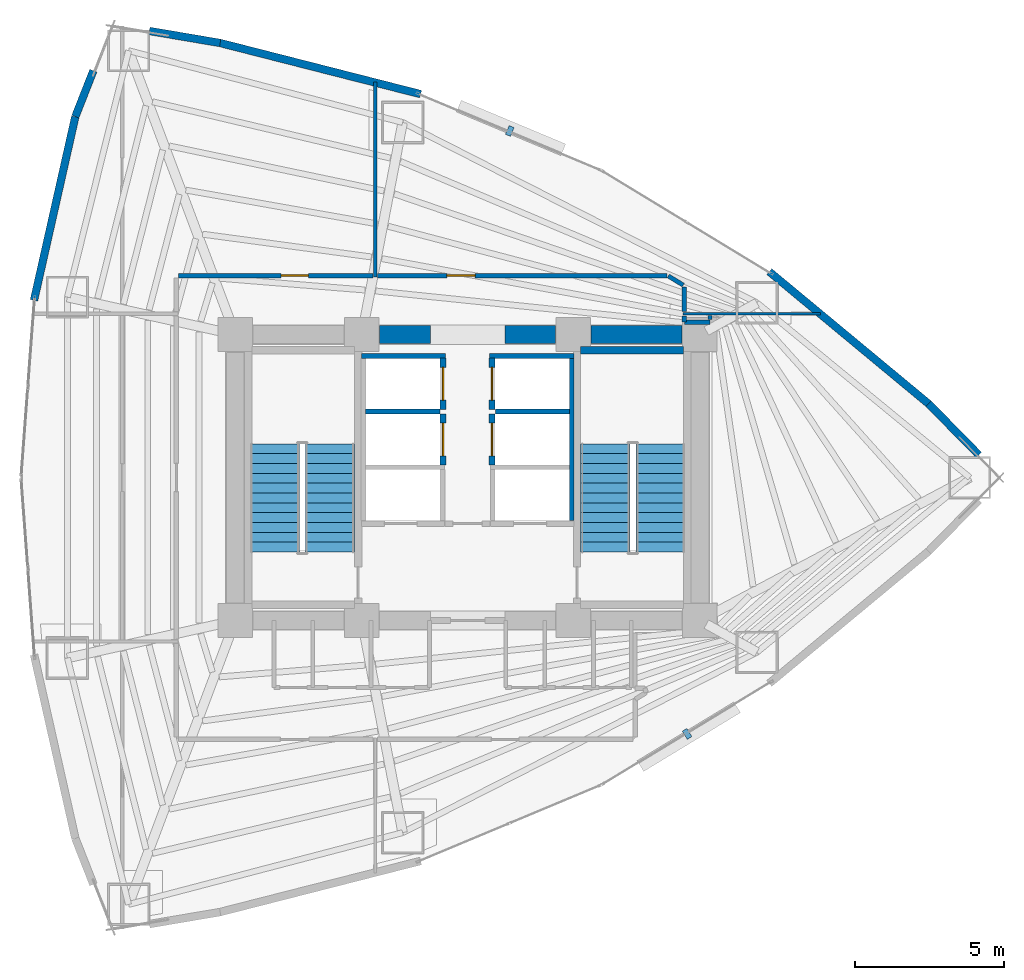
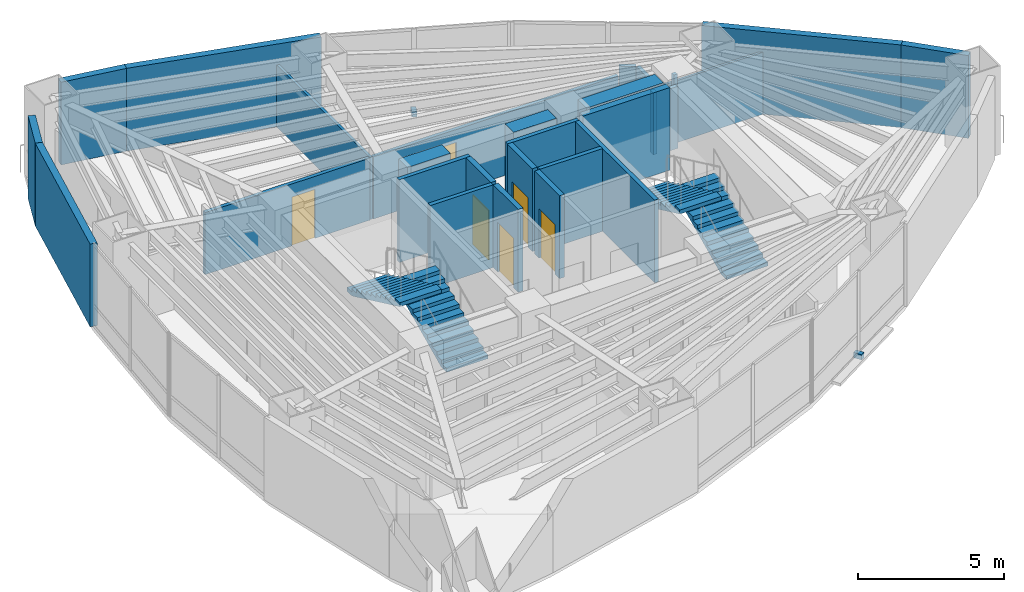
# One storey, part 15 of 17: 28 walls, 6 doors, 4 stair flights, 2 discrete accessories, 6 openings, 2 elements without a shape of their own.
"""IFC4 building model written with IfcOpenShell, lengths in metres."""

from ifc_helpers import new_model, si_unit, direction, frame, frame_2d, origin, origin_2d, place, context, subcontext, project, spatial, polyline, rectangle, outline, extrude, material, layer, layer_set, type_object, element, fill, aggregate, save


model = new_model("IFC4")

# Units and contexts
model_context = context("Model", 3, precision=1e-05, world=origin(), true_north=direction((0.0, 1.0)))
body_context = subcontext(model_context, "Body", "Model", "MODEL_VIEW")
ifc_project = project(units=[si_unit("LENGTHUNIT", "METRE"), si_unit("AREAUNIT", "SQUARE_METRE"), si_unit("VOLUMEUNIT", "CUBIC_METRE"), si_unit("PLANEANGLEUNIT", "RADIAN"), si_unit("MASSUNIT", "GRAM", prefix="KILO")], contexts=[model_context])

# Site, building, storey
site_placement = place(None, origin())
site = spatial("IfcSite", under=ifc_project, at=site_placement, CompositionType="ELEMENT")
building_placement = place(site_placement, origin())
building = spatial("IfcBuilding", under=site, at=building_placement, Name="Menara Vayukalpa", CompositionType="ELEMENT")
storey_placement = place(building_placement, frame((0.0, 0.0, 38.760009765625)))
storey = spatial("IfcBuildingStorey", under=building, at=storey_placement, Name="L08", CompositionType="ELEMENT", Elevation=38.760009765625)

# Walls
ifc_material_1 = material(Name="Concrete C70/85", Category="concrete")
ifc_layer_1 = layer(ifc_material_1, 0.60009765625)
ifc_layer_set_1 = layer_set([ifc_layer_1], Name="Concrete C70/85")
wall_type_1 = type_object("IfcWallType", Name="WAL-CW600", PredefinedType="SHEAR", material=ifc_layer_set_1)
wall_1_placement = place(storey_placement, frame((22.64501953125, 26.800048828125, 0.0), z_axis=(0.0, 0.0, 1.0), x_axis=(1.0, 0.0, 0.0)))
element("IfcWall", 1, at=wall_1_placement, inside=storey, type_object=wall_type_1, Name="L08 Buttressed Core Shear Wall CWN2", PredefinedType="SHEAR", context=body_context, shape_type="SweptSolid", body=[
    extrude(rectangle(XDim=1.705078125, YDim=0.60009765625, at=frame_2d((0.8525390625, 0.0))), origin(), (0.0, 0.0, 1.0), 3.469970703125),
])
wall_2_placement = place(storey_placement, frame((26.85009765625, 26.800048828125, 0.0), z_axis=(0.0, 0.0, 1.0), x_axis=(1.0, 0.0, 0.0)))
element("IfcWall", 2, at=wall_2_placement, inside=storey, type_object=wall_type_1, Name="L08 Buttressed Core Shear Wall CWN3", PredefinedType="SHEAR", context=body_context, shape_type="SweptSolid", body=[
    extrude(rectangle(XDim=1.704833984375, YDim=0.60009765625, at=frame_2d((0.8525390625, 0.0))), origin(), (0.0, 0.0, 1.0), 3.469970703125),
])
wall_3_placement = place(storey_placement, frame((29.7451171875, 26.800048828125, 0.0), z_axis=(0.0, 0.0, 1.0), x_axis=(1.0, 0.0, 0.0)))
element("IfcWall", 3, at=wall_3_placement, inside=storey, type_object=wall_type_1, Name="L08 Buttressed Core Shear Wall CWN4", PredefinedType="SHEAR", context=body_context, shape_type="SweptSolid", body=[
    extrude(rectangle(XDim=3.059814453125, YDim=0.60009765625, at=frame_2d((1.52978515625, 0.0))), origin(), (0.0, 0.0, 1.0), 3.469970703125),
])
ifc_material_2 = material(Name="Insulated Precast Concrete C40/50", Category="concrete")
ifc_layer_2 = layer(ifc_material_2, 0.260009765625)
ifc_layer_set_2 = layer_set([ifc_layer_2], Name="Insulated Precast Concrete C40/50")
wall_type_2 = type_object("IfcWallType", Name="WAL-EXT260", PredefinedType="PARTITIONING", material=ifc_layer_set_2)
wall_4_placement = place(storey_placement, frame((41.08056640625, 24.479248046875, 0.0), z_axis=(0.0, 0.0, 1.0), x_axis=(0.70059851419, -0.713555689427, 0.0)))
element("IfcWall", 4, at=wall_4_placement, inside=storey, type_object=wall_type_2, Name="L08 Perimeter Terracotta Pier Wall 02", PredefinedType="PARTITIONING", context=body_context, shape_type="SweptSolid", body=[
    extrude(rectangle(XDim=2.411865234375, YDim=0.260009765625, at=frame_2d((1.2060546875, 0.0))), origin(), (0.0, 0.0, 1.0), 3.469970703125),
])
for number, where, z_axis, x_axis, name in (
    (5, (35.732421875, 28.91357421875, 0.0), (0.0, 0.0, 1.0), (0.769754596928, -0.638339925517, 0.0), "L08 Perimeter Terracotta Pier Wall 03"),
    (6, (17.28173828125, 36.595703125, 0.0), (0.0, 0.0, 1.0), (0.968977974408, -0.247147092057, 0.0), "L08 Perimeter Terracotta Pier Wall 06"),
):
    element("IfcWall", number, at=place(storey_placement, frame(where, z_axis=z_axis, x_axis=x_axis)), inside=storey, type_object=wall_type_2, Name=name, PredefinedType="PARTITIONING", context=body_context, shape_type="SweptSolid", body=[
        extrude(rectangle(XDim=6.959228515625, YDim=0.260009765625, at=frame_2d((3.4794921875, 0.0))), origin(), (0.0, 0.0, 1.0), 3.469970703125),
    ])
wall_5_placement = place(storey_placement, frame((14.915283203125, 36.996826171875, 0.0), z_axis=(0.0, 0.0, 1.0), x_axis=(0.985905469923, -0.167303330437, 0.0)))
element("IfcWall", 7, at=wall_5_placement, inside=storey, type_object=wall_type_2, Name="L08 Perimeter Terracotta Pier Wall 07", PredefinedType="PARTITIONING", context=body_context, shape_type="SweptSolid", body=[
    extrude(rectangle(XDim=2.412109375, YDim=0.260009765625, at=frame_2d((1.2060546875, 0.0))), origin(), (0.0, 0.0, 1.0), 3.469970703125),
])
wall_6_placement = place(storey_placement, frame((12.427490234375, 34.119140625, 0.0), z_axis=(0.0, 0.0, 1.0), x_axis=(0.365666052462, 0.930746119023, 0.0)))
element("IfcWall", 8, at=wall_6_placement, inside=storey, type_object=wall_type_2, Name="L08 Perimeter Terracotta Pier Wall 08", PredefinedType="PARTITIONING", context=body_context, shape_type="SweptSolid", body=[
    extrude(rectangle(XDim=1.656494140625, YDim=0.260009765625, at=frame_2d((0.828125, 0.0))), origin(), (0.0, 0.0, 1.0), 3.469970703125),
])
wall_7_placement = place(storey_placement, frame((11.0400390625, 27.952392578125, 0.0), z_axis=(0.0, 0.0, 1.0), x_axis=(0.219502085231, 0.975612030768, 0.0)))
element("IfcWall", 9, at=wall_7_placement, inside=storey, type_object=wall_type_2, Name="L08 Perimeter Terracotta Pier Wall 09", PredefinedType="PARTITIONING", context=body_context, shape_type="SweptSolid", body=[
    extrude(rectangle(XDim=6.32080078125, YDim=0.260009765625, at=frame_2d((3.160400390625, 0.0))), origin(), (0.0, 0.0, 1.0), 3.469970703125),
])
ifc_material_3 = material(Name="Lightweight Concrete Blockwork C16/20", Category="masonry")
ifc_layer_3 = layer(ifc_material_3, 0.159912109375)
ifc_layer_set_3 = layer_set([ifc_layer_3], Name="Lightweight Concrete Blockwork C16/20")
wall_type_3 = type_object("IfcWallType", Name="WAL-FR150", PredefinedType="PARTITIONING", material=ifc_layer_set_3)
wall_8_placement = place(storey_placement, frame((22.179931640625, 24.215087890625, 0.0), z_axis=(0.0, 0.0, 1.0), x_axis=(1.0, 0.0, 0.0)))
element("IfcWall", 10, at=wall_8_placement, inside=storey, type_object=wall_type_3, Name="L08 Interior Partition IW-L08-SHM-W23", PredefinedType="PARTITIONING", context=body_context, shape_type="SweptSolid", body=[
    extrude(rectangle(XDim=2.489990234375, YDim=0.159912109375, at=frame_2d((1.2451171875, 0.0))), origin(), (0.0, 0.0, 1.0), 3.469970703125),
])
wall_9_placement = place(storey_placement, frame((22.030029296875, 26.0849609375, 0.0), z_axis=(0.0, 0.0, 1.0), x_axis=(1.0, 0.0, 0.0)))
element("IfcWall", 11, at=wall_9_placement, inside=storey, type_object=wall_type_3, Name="L08 Interior Partition IW-L08-SHM-W3N", PredefinedType="PARTITIONING", context=body_context, shape_type="SweptSolid", body=[
    extrude(rectangle(XDim=2.830078125, YDim=0.159912109375, at=frame_2d((1.4150390625, 0.0))), origin(), (0.0, 0.0, 1.0), 3.469970703125),
])
wall_10_placement = place(storey_placement, frame((29.094970703125, 20.56005859375, 0.0), z_axis=(0.0, 0.0, 1.0), x_axis=(0.0, 1.0, 0.0)))
element("IfcWall", 12, at=wall_10_placement, inside=storey, type_object=wall_type_3, Name="L08 Interior Partition IW-L08-SHW-EE", PredefinedType="PARTITIONING", context=body_context, shape_type="SweptSolid", body=[
    extrude(rectangle(XDim=5.449951171875, YDim=0.159912109375, at=frame_2d((2.72509765625, 0.0))), origin(), (0.0, 0.0, 1.0), 3.469970703125),
])
wall_11_placement = place(storey_placement, frame((26.530029296875, 24.215087890625, 0.0), z_axis=(0.0, 0.0, 1.0), x_axis=(1.0, 0.0, 0.0)))
element("IfcWall", 13, at=wall_11_placement, inside=storey, type_object=wall_type_3, Name="L08 Interior Partition IW-L08-SHM-E32", PredefinedType="PARTITIONING", context=body_context, shape_type="SweptSolid", body=[
    extrude(rectangle(XDim=2.489990234375, YDim=0.159912109375, at=frame_2d((1.2451171875, 0.0))), origin(), (0.0, 0.0, 1.0), 3.469970703125),
])
wall_12_placement = place(storey_placement, frame((26.340087890625, 26.0849609375, 0.0), z_axis=(0.0, 0.0, 1.0), x_axis=(1.0, 0.0, 0.0)))
element("IfcWall", 14, at=wall_12_placement, inside=storey, type_object=wall_type_3, Name="L08 Interior Partition IW-L08-SHM-E2N", PredefinedType="PARTITIONING", context=body_context, shape_type="SweptSolid", body=[
    extrude(rectangle(XDim=2.829833984375, YDim=0.159912109375, at=frame_2d((1.4150390625, 0.0))), origin(), (0.0, 0.0, 1.0), 3.469970703125),
])

# Wall, opening, door
ifc_material_4 = material(Name="Lightweight Concrete Blockwork C16/20", Category="masonry")
ifc_layer_4 = layer(ifc_material_4, 0.199951171875)
ifc_layer_set_4 = layer_set([ifc_layer_4], Name="Lightweight Concrete Blockwork C16/20")
wall_type_4 = type_object("IfcWallType", Name="WAL-FR200", PredefinedType="PARTITIONING", material=ifc_layer_set_4)
wall_13_placement = place(storey_placement, frame((24.780029296875, 22.419921875, 0.0), z_axis=(0.0, 0.0, 1.0), x_axis=(0.0, 1.0, 0.0)))
wall_13 = element("IfcWall", 15, at=wall_13_placement, inside=storey, type_object=wall_type_4, Name="L08 Interior Partition IW-L08-SH-W2", PredefinedType="PARTITIONING", context=body_context, shape_type="SweptSolid", body=[
    extrude(rectangle(XDim=1.719970703125, YDim=0.199951171875, at=frame_2d((0.85986328125, 0.0))), origin(), (0.0, 0.0, 1.0), 3.469970703125),
])
opening_1_placement = place(wall_13_placement, frame((0.31005859375, 0.0, 0.0)))
opening_1 = element("IfcOpeningElement", 16, at=opening_1_placement, cuts=wall_13, Name="Opening LD1", PredefinedType="OPENING", context=body_context, shape_type="SweptSolid", body=[
    extrude(rectangle(XDim=1.10009765625, YDim=2.080078125, at=frame_2d((0.550048828125, 1.0400390625))), frame((0.0, 0.10986328125, 0.0), z_axis=(0.0, -1.0, 0.0), x_axis=(1.0, 0.0, 0.0)), (0.0, 0.0, 1.0), 0.219970703125),
])
ifc_material_5 = material(Name="Brushed Stainless Steel 316 Lift Door", Category="steel")
door_type_1 = type_object("IfcDoorType", Name="DR-LD110", OperationType="NOTDEFINED", PredefinedType="DOOR", material=ifc_material_5)
door_1_placement = place(opening_1_placement, origin())
door_1 = element("IfcDoor", 17, at=door_1_placement, inside=storey, type_object=door_type_1, Name="L08 Interior Door DR-L08-LD-W2", OperationType="DOUBLE_DOOR_SLIDING", OverallHeight=2.080078125, OverallWidth=1.10009765625, PredefinedType="DOOR", context=body_context, shape_type="SweptSolid", body=[
    extrude(rectangle(XDim=1.10009765625, YDim=2.080078125, at=frame_2d((0.550048828125, 1.0400390625))), frame((0.0, 0.02490234375, 0.0), z_axis=(0.0, -1.0, 0.0), x_axis=(1.0, 0.0, 0.0)), (0.0, 0.0, 1.0), 0.050048828125),
])
fill(opening_1, door_1)

wall_14_placement = place(storey_placement, frame((24.780029296875, 24.2900390625, 0.0), z_axis=(0.0, 0.0, 1.0), x_axis=(0.0, 1.0, 0.0)))
wall_14 = element("IfcWall", 18, at=wall_14_placement, inside=storey, type_object=wall_type_4, Name="L08 Interior Partition IW-L08-SH-W3", PredefinedType="PARTITIONING", context=body_context, shape_type="SweptSolid", body=[
    extrude(rectangle(XDim=1.719970703125, YDim=0.199951171875, at=frame_2d((0.85986328125, 0.0))), origin(), (0.0, 0.0, 1.0), 3.469970703125),
])
opening_2_placement = place(wall_14_placement, frame((0.31005859375, 0.0, 0.0)))
opening_2 = element("IfcOpeningElement", 19, at=opening_2_placement, cuts=wall_14, Name="Opening LD1", PredefinedType="OPENING", context=body_context, shape_type="SweptSolid", body=[
    extrude(rectangle(XDim=1.10009765625, YDim=2.080078125, at=frame_2d((0.550048828125, 1.0400390625))), frame((0.0, 0.10986328125, 0.0), z_axis=(0.0, -1.0, 0.0), x_axis=(1.0, 0.0, 0.0)), (0.0, 0.0, 1.0), 0.219970703125),
])
door_2_placement = place(opening_2_placement, origin())
door_2 = element("IfcDoor", 20, at=door_2_placement, inside=storey, type_object=door_type_1, Name="L08 Interior Door DR-L08-LD-W3", OperationType="DOUBLE_DOOR_SLIDING", OverallHeight=2.080078125, OverallWidth=1.10009765625, PredefinedType="DOOR", context=body_context, shape_type="SweptSolid", body=[
    extrude(rectangle(XDim=1.10009765625, YDim=2.080078125, at=frame_2d((0.550048828125, 1.0400390625))), frame((0.0, 0.02490234375, 0.0), z_axis=(0.0, -1.0, 0.0), x_axis=(1.0, 0.0, 0.0)), (0.0, 0.0, 1.0), 0.050048828125),
])
fill(opening_2, door_2)

wall_15_placement = place(storey_placement, frame((26.419921875, 22.419921875, 0.0), z_axis=(0.0, 0.0, 1.0), x_axis=(0.0, 1.0, 0.0)))
wall_15 = element("IfcWall", 21, at=wall_15_placement, inside=storey, type_object=wall_type_4, Name="L08 Interior Partition IW-L08-SH-E3", PredefinedType="PARTITIONING", context=body_context, shape_type="SweptSolid", body=[
    extrude(rectangle(XDim=1.719970703125, YDim=0.199951171875, at=frame_2d((0.85986328125, 0.0))), origin(), (0.0, 0.0, 1.0), 3.469970703125),
])
opening_3_placement = place(wall_15_placement, frame((0.31005859375, 0.0, 0.0)))
opening_3 = element("IfcOpeningElement", 22, at=opening_3_placement, cuts=wall_15, Name="Opening LD1", PredefinedType="OPENING", context=body_context, shape_type="SweptSolid", body=[
    extrude(rectangle(XDim=1.10009765625, YDim=2.080078125, at=frame_2d((0.550048828125, 1.0400390625))), frame((0.0, 0.10986328125, 0.0), z_axis=(0.0, -1.0, 0.0), x_axis=(1.0, 0.0, 0.0)), (0.0, 0.0, 1.0), 0.219970703125),
])
door_3_placement = place(opening_3_placement, origin())
door_3 = element("IfcDoor", 23, at=door_3_placement, inside=storey, type_object=door_type_1, Name="L08 Interior Door DR-L08-LD-E3", OperationType="DOUBLE_DOOR_SLIDING", OverallHeight=2.080078125, OverallWidth=1.10009765625, PredefinedType="DOOR", context=body_context, shape_type="SweptSolid", body=[
    extrude(rectangle(XDim=1.10009765625, YDim=2.080078125, at=frame_2d((0.550048828125, 1.0400390625))), frame((0.0, 0.02490234375, 0.0), z_axis=(0.0, -1.0, 0.0), x_axis=(1.0, 0.0, 0.0)), (0.0, 0.0, 1.0), 0.050048828125),
])
fill(opening_3, door_3)

wall_16_placement = place(storey_placement, frame((26.419921875, 24.2900390625, 0.0), z_axis=(0.0, 0.0, 1.0), x_axis=(0.0, 1.0, 0.0)))
wall_16 = element("IfcWall", 24, at=wall_16_placement, inside=storey, type_object=wall_type_4, Name="L08 Interior Partition IW-L08-SH-E2", PredefinedType="PARTITIONING", context=body_context, shape_type="SweptSolid", body=[
    extrude(rectangle(XDim=1.719970703125, YDim=0.199951171875, at=frame_2d((0.85986328125, 0.0))), origin(), (0.0, 0.0, 1.0), 3.469970703125),
])
opening_4_placement = place(wall_16_placement, frame((0.31005859375, 0.0, 0.0)))
opening_4 = element("IfcOpeningElement", 25, at=opening_4_placement, cuts=wall_16, Name="Opening LD1", PredefinedType="OPENING", context=body_context, shape_type="SweptSolid", body=[
    extrude(rectangle(XDim=1.10009765625, YDim=2.080078125, at=frame_2d((0.550048828125, 1.0400390625))), frame((0.0, 0.10986328125, 0.0), z_axis=(0.0, -1.0, 0.0), x_axis=(1.0, 0.0, 0.0)), (0.0, 0.0, 1.0), 0.219970703125),
])
door_4_placement = place(opening_4_placement, origin())
door_4 = element("IfcDoor", 26, at=door_4_placement, inside=storey, type_object=door_type_1, Name="L08 Interior Door DR-L08-LD-E2", OperationType="DOUBLE_DOOR_SLIDING", OverallHeight=2.080078125, OverallWidth=1.10009765625, PredefinedType="DOOR", context=body_context, shape_type="SweptSolid", body=[
    extrude(rectangle(XDim=1.10009765625, YDim=2.080078125, at=frame_2d((0.550048828125, 1.0400390625))), frame((0.0, 0.02490234375, 0.0), z_axis=(0.0, -1.0, 0.0), x_axis=(1.0, 0.0, 0.0)), (0.0, 0.0, 1.0), 0.050048828125),
])
fill(opening_4, door_4)

# Walls
ifc_material_6 = material(Name="Glazed Demountable Office Partition", Category="glass")
ifc_layer_5 = layer(ifc_material_6, 0.094970703125)
ifc_layer_set_5 = layer_set([ifc_layer_5], Name="Glazed Demountable Office Partition")
wall_type_5 = type_object("IfcWallType", Name="WAL-PT100", PredefinedType="PARTITIONING", material=ifc_layer_set_5)
wall_17_placement = place(storey_placement, frame((32.830078125, 27.5, 0.0), z_axis=(0.0, 0.0, 1.0), x_axis=(1.0, 0.0, 0.0)))
element("IfcWall", 27, at=wall_17_placement, inside=storey, type_object=wall_type_5, Name="L08 Interior Partition IW-L08-RDIV06", PredefinedType="PARTITIONING", context=body_context, shape_type="SweptSolid", body=[
    extrude(rectangle(XDim=4.622802734375, YDim=0.094970703125, at=frame_2d((2.3115234375, 0.0))), origin(), (0.0, 0.0, 1.0), 2.60009765625),
])
ifc_material_7 = material(Name="Acoustic Mineral Stud Partition", Category="masonry")
ifc_layer_6 = layer(ifc_material_7, 0.110107421875)
ifc_layer_set_6 = layer_set([ifc_layer_6], Name="Acoustic Mineral Stud Partition")
wall_type_6 = type_object("IfcWallType", Name="WAL-PT110", PredefinedType="PARTITIONING", material=ifc_layer_set_6)
wall_18_placement = place(storey_placement, frame((22.5, 28.72998046875, 0.0), z_axis=(0.0, 0.0, 1.0), x_axis=(0.0, 1.0, 0.0)))
element("IfcWall", 28, at=wall_18_placement, inside=storey, type_object=wall_type_6, Name="L08 Interior Partition IW-L08-RDIV03", PredefinedType="PARTITIONING", context=body_context, shape_type="SweptSolid", body=[
    extrude(rectangle(XDim=6.545166015625, YDim=0.110107421875, at=frame_2d((3.2724609375, 0.0))), origin(), (0.0, 0.0, 1.0), 2.60009765625),
])
ifc_material_8 = material(Name="Gypsum Drywall Acoustic Stud Assembly", Category="masonry")
ifc_layer_7 = layer(ifc_material_8, 0.14501953125)
ifc_layer_set_7 = layer_set([ifc_layer_7], Name="Gypsum Drywall Acoustic Stud Assembly")
wall_type_7 = type_object("IfcWallType", Name="WAL-PT150", PredefinedType="PARTITIONING", material=ifc_layer_set_7)
wall_19_placement = place(storey_placement, frame((33.739990234375, 27.219970703125, 0.0), z_axis=(0.0, 0.0, 1.0), x_axis=(-1.0, 0.0, 0.0)))
element("IfcWall", 29, at=wall_19_placement, inside=storey, type_object=wall_type_7, Name="L08 Interior Partition IW-L08-CRM04-6", PredefinedType="PARTITIONING", context=body_context, shape_type="SweptSolid", body=[
    extrude(rectangle(XDim=0.860107421875, YDim=0.14501953125, at=frame_2d((0.43017578125, 0.0))), origin(), (0.0, 0.0, 1.0), 2.60009765625),
])
wall_20_placement = place(storey_placement, frame((32.8798828125, 27.219970703125, 0.0), z_axis=(0.0, 0.0, 1.0), x_axis=(0.0, 1.0, 0.0)))
element("IfcWall", 30, at=wall_20_placement, inside=storey, type_object=wall_type_7, Name="L08 Interior Partition IW-L08-CRM04-7", PredefinedType="PARTITIONING", context=body_context, shape_type="SweptSolid", body=[
    extrude(rectangle(XDim=0.2099609375, YDim=0.14501953125, at=frame_2d((0.10498046875, 0.0))), origin(), (0.0, 0.0, 1.0), 2.60009765625),
])
wall_21_placement = place(storey_placement, frame((32.8798828125, 27.570068359375, 0.0), z_axis=(0.0, 0.0, 1.0), x_axis=(0.0, 1.0, 0.0)))
element("IfcWall", 31, at=wall_21_placement, inside=storey, type_object=wall_type_7, Name="L08 Interior Partition IW-L08-CRM05-1", PredefinedType="PARTITIONING", context=body_context, shape_type="SweptSolid", body=[
    extrude(rectangle(XDim=0.82470703125, YDim=0.14501953125, at=frame_2d((0.412353515625, 0.0))), origin(), (0.0, 0.0, 1.0), 3.0),
])
wall_22_placement = place(storey_placement, frame((32.841552734375, 28.463134765625, 0.0), z_axis=(0.0, 0.0, 1.0), x_axis=(-0.854807247113, 0.518945633264, 0.0)))
element("IfcWall", 32, at=wall_22_placement, inside=storey, type_object=wall_type_7, Name="L08 Interior Partition IW-L08-CRM05-2", PredefinedType="PARTITIONING", context=body_context, shape_type="SweptSolid", body=[
    extrude(rectangle(XDim=0.588134765625, YDim=0.14501953125, at=frame_2d((0.2939453125, 0.0))), origin(), (0.0, 0.0, 1.0), 3.0),
])

# Wall, opening, door
wall_23_placement = place(storey_placement, frame((32.29736328125, 28.780029296875, 0.0), z_axis=(0.0, 0.0, 1.0), x_axis=(-1.0, 0.0, 0.0)))
wall_23 = element("IfcWall", 33, at=wall_23_placement, inside=storey, type_object=wall_type_7, Name="L08 Interior Partition IW-L08-CRM05-3", PredefinedType="PARTITIONING", context=body_context, shape_type="SweptSolid", body=[
    extrude(rectangle(XDim=9.727294921875, YDim=0.14501953125, at=frame_2d((4.86376953125, 0.0))), origin(), (0.0, 0.0, 1.0), 2.60009765625),
])
opening_5_placement = place(wall_23_placement, frame((6.443115234375, 0.0, 0.0)))
opening_5 = element("IfcOpeningElement", 34, at=opening_5_placement, cuts=wall_23, Name="Opening ID5", PredefinedType="OPENING", context=body_context, shape_type="SweptSolid", body=[
    extrude(rectangle(XDim=0.949951171875, YDim=2.06005859375, at=frame_2d((0.47509765625, 1.030029296875))), frame((0.0, 0.08251953125, 0.0), z_axis=(0.0, -1.0, 0.0), x_axis=(1.0, 0.0, 0.0)), (0.0, 0.0, 1.0), 0.1650390625),
])
ifc_material_9 = material(Name="Acoustic Hardwood Veneer Timber Door", Category="wood")
door_type_2 = type_object("IfcDoorType", Name="DR-INT95", OperationType="NOTDEFINED", PredefinedType="DOOR", material=ifc_material_9)
door_5_placement = place(opening_5_placement, origin())
door_5 = element("IfcDoor", 35, at=door_5_placement, inside=storey, type_object=door_type_2, Name="L08 Interior Door DR-L08-RM05", OperationType="SINGLE_SWING_LEFT", OverallHeight=2.06005859375, OverallWidth=0.949951171875, PredefinedType="DOOR", context=body_context, shape_type="SweptSolid", body=[
    extrude(rectangle(XDim=0.949951171875, YDim=2.06005859375, at=frame_2d((0.47509765625, 1.030029296875))), frame((0.0, 0.02490234375, 0.0), z_axis=(0.0, -1.0, 0.0), x_axis=(1.0, 0.0, 0.0)), (0.0, 0.0, 1.0), 0.050048828125),
])
fill(opening_5, door_5)

wall_24_placement = place(storey_placement, frame((22.429931640625, 28.780029296875, 0.0), z_axis=(0.0, 0.0, 1.0), x_axis=(-1.0, 0.0, 0.0)))
wall_24 = element("IfcWall", 36, at=wall_24_placement, inside=storey, type_object=wall_type_7, Name="L08 Interior Partition IW-L08-CRM06-1", PredefinedType="PARTITIONING", context=body_context, shape_type="SweptSolid", body=[
    extrude(rectangle(XDim=6.530029296875, YDim=0.14501953125, at=frame_2d((3.26513671875, 0.0))), origin(), (0.0, 0.0, 1.0), 2.60009765625),
])
opening_6_placement = place(wall_24_placement, frame((2.173583984375, 0.0, 0.0)))
opening_6 = element("IfcOpeningElement", 37, at=opening_6_placement, cuts=wall_24, Name="Opening ID6", PredefinedType="OPENING", context=body_context, shape_type="SweptSolid", body=[
    extrude(rectangle(XDim=0.919921875, YDim=2.050048828125, at=frame_2d((0.4599609375, 1.02490234375))), frame((0.0, 0.08251953125, 0.0), z_axis=(0.0, -1.0, 0.0), x_axis=(1.0, 0.0, 0.0)), (0.0, 0.0, 1.0), 0.1650390625),
])
ifc_material_10 = material(Name="Acoustic Hardwood Veneer Timber Door", Category="wood")
door_type_3 = type_object("IfcDoorType", Name="DR-INT92", OperationType="NOTDEFINED", PredefinedType="DOOR", material=ifc_material_10)
door_6_placement = place(opening_6_placement, origin())
door_6 = element("IfcDoor", 38, at=door_6_placement, inside=storey, type_object=door_type_3, Name="L08 Interior Door DR-L08-RM06", OperationType="SINGLE_SWING_RIGHT", OverallHeight=2.050048828125, OverallWidth=0.919921875, PredefinedType="DOOR", context=body_context, shape_type="SweptSolid", body=[
    extrude(rectangle(XDim=0.919921875, YDim=2.050048828125, at=frame_2d((0.4599609375, 1.02490234375))), frame((0.0, 0.02490234375, 0.0), z_axis=(0.0, -1.0, 0.0), x_axis=(1.0, 0.0, 0.0)), (0.0, 0.0, 1.0), 0.050048828125),
])
fill(opening_6, door_6)

# Walls
wall_25_placement = place(storey_placement, frame((33.739990234375, 27.300048828125, 0.0), z_axis=(0.0, 0.0, 1.0), x_axis=(0.0, 1.0, 0.0)))
element("IfcWall", 39, at=wall_25_placement, inside=storey, type_object=wall_type_7, Name="L08 Interior Partition IW-L08-CRM04-6-R0", PredefinedType="PARTITIONING", context=body_context, shape_type="SweptSolid", body=[
    extrude(rectangle(XDim=0.14990234375, YDim=0.14501953125, at=frame_2d((0.074951171875, 0.0))), origin(), (0.0, 0.0, 1.0), 3.0),
])
ifc_material_11 = material(Name="Concrete C50/60", Category="concrete")
ifc_layer_8 = layer(ifc_material_11, 0.25)
ifc_layer_set_8 = layer_set([ifc_layer_8], Name="Concrete C50/60")
wall_type_8 = type_object("IfcWallType", Name="WAL-SW250", PredefinedType="SHEAR", material=ifc_layer_set_8)
wall_26_placement = place(storey_placement, frame((29.39990234375, 26.27490234375, 0.0), z_axis=(0.0, 0.0, 1.0), x_axis=(1.0, 0.0, 0.0)))
element("IfcWall", 40, at=wall_26_placement, inside=storey, type_object=wall_type_8, Name="L08 ST2 Structural Stair Shaft Wall N", PredefinedType="SHEAR", context=body_context, shape_type="SweptSolid", body=[
    extrude(rectangle(XDim=3.446044921875, YDim=0.25, at=frame_2d((1.72314453125, 0.0))), origin(), (0.0, 0.0, 1.0), 3.469970703125),
])

# Stair, stair flights
ifc_material_12 = material(Name="Precast Concrete C40/50", Category="concrete")
stair_type = type_object("IfcStairType", Name="STR-T04", PredefinedType="DOUBLE_RETURN_STAIR", material=ifc_material_12)
stair_1_placement = place(storey_placement, origin())
stair_1 = element("IfcStair", 41, at=stair_1_placement, inside=storey, type_object=stair_type, Name="L08 Core Exit Stair ST-1", PredefinedType="DOUBLE_RETURN_STAIR")
ifc_material_13 = material(Name="Precast Concrete C40/50", Category="concrete")
stair_flight_type = type_object("IfcStairFlightType", Name="STF-T04", PredefinedType="STRAIGHT", material=ifc_material_13)
stair_flight_1_placement = place(storey_placement, frame((20.97509765625, 19.5, 0.0), z_axis=(0.0, 0.0, 1.0), x_axis=(0.0, 1.0, 0.0)))
stair_flight_1 = element("IfcStairFlight", 42, at=stair_flight_1_placement, type_object=stair_flight_type, Name="ST-1 flight 1", NumberOfRisers=12, NumberOfTreads=11, PredefinedType="STRAIGHT", RiserHeight=0.155, TreadLength=0.33, context=body_context, shape_type="SweptSolid", body=[
    extrude(outline(polyline([(0.0, 0.0), (0.0, 0.155029296875), (0.330078125, 0.155029296875), (0.330078125, 0.31005859375), (0.659912109375, 0.31005859375), (0.659912109375, 0.465087890625), (0.989990234375, 0.465087890625), (0.989990234375, 0.6201171875), (1.320068359375, 0.6201171875), (1.320068359375, 0.77490234375), (1.64990234375, 0.77490234375), (1.64990234375, 0.929931640625), (1.97998046875, 0.929931640625), (1.97998046875, 1.0849609375), (2.31005859375, 1.0849609375), (2.31005859375, 1.239990234375), (2.639892578125, 1.239990234375), (2.639892578125, 1.39501953125), (2.969970703125, 1.39501953125), (2.969970703125, 1.550048828125), (3.300048828125, 1.550048828125), (3.300048828125, 1.705078125), (3.6298828125, 1.705078125), (3.6298828125, 1.860107421875), (3.6298828125, 1.539306640625), (0.3525390625, 0.0), (0.0, 0.0)])), frame((0.0, 0.824951171875, 0.0), z_axis=(0.0, -1.0, 0.0), x_axis=(1.0, 0.0, 0.0)), (0.0, 0.0, 1.0), 1.64990234375),
])
stair_flight_2_placement = place(storey_placement, frame((19.125, 23.1298828125, 1.860107421875), z_axis=(0.0, 0.0, 1.0), x_axis=(0.0, -1.0, 0.0)))
stair_flight_2 = element("IfcStairFlight", 43, at=stair_flight_2_placement, type_object=stair_flight_type, Name="ST-1 flight 2", NumberOfRisers=12, NumberOfTreads=11, PredefinedType="STRAIGHT", RiserHeight=0.155, TreadLength=0.33, context=body_context, shape_type="SweptSolid", body=[
    extrude(outline(polyline([(0.0, 0.0), (0.0, 0.155029296875), (0.330078125, 0.155029296875), (0.330078125, 0.31005859375), (0.659912109375, 0.31005859375), (0.659912109375, 0.465087890625), (0.989990234375, 0.465087890625), (0.989990234375, 0.6201171875), (1.320068359375, 0.6201171875), (1.320068359375, 0.77490234375), (1.64990234375, 0.77490234375), (1.64990234375, 0.929931640625), (1.97998046875, 0.929931640625), (1.97998046875, 1.0849609375), (2.31005859375, 1.0849609375), (2.31005859375, 1.239990234375), (2.639892578125, 1.239990234375), (2.639892578125, 1.39501953125), (2.969970703125, 1.39501953125), (2.969970703125, 1.550048828125), (3.300048828125, 1.550048828125), (3.300048828125, 1.705078125), (3.6298828125, 1.705078125), (3.6298828125, 1.860107421875), (3.6298828125, 1.539306640625), (0.3525390625, 0.0), (0.0, 0.0)])), frame((0.0, 0.824951171875, 0.0), z_axis=(0.0, -1.0, 0.0), x_axis=(1.0, 0.0, 0.0)), (0.0, 0.0, 1.0), 1.64990234375),
])
aggregate(stair_1, [stair_flight_1, stair_flight_2])

stair_2_placement = place(storey_placement, origin())
stair_2 = element("IfcStair", 44, at=stair_2_placement, inside=storey, type_object=stair_type, Name="L08 Core Exit Stair ST-2", PredefinedType="DOUBLE_RETURN_STAIR")
stair_flight_3_placement = place(storey_placement, frame((32.074951171875, 19.5, 0.0), z_axis=(0.0, 0.0, 1.0), x_axis=(0.0, 1.0, 0.0)))
stair_flight_3 = element("IfcStairFlight", 45, at=stair_flight_3_placement, type_object=stair_flight_type, Name="ST-2 flight 1", NumberOfRisers=12, NumberOfTreads=11, PredefinedType="STRAIGHT", RiserHeight=0.155, TreadLength=0.33, context=body_context, shape_type="SweptSolid", body=[
    extrude(outline(polyline([(0.0, 0.0), (0.0, 0.155029296875), (0.330078125, 0.155029296875), (0.330078125, 0.31005859375), (0.659912109375, 0.31005859375), (0.659912109375, 0.465087890625), (0.989990234375, 0.465087890625), (0.989990234375, 0.6201171875), (1.320068359375, 0.6201171875), (1.320068359375, 0.77490234375), (1.64990234375, 0.77490234375), (1.64990234375, 0.929931640625), (1.97998046875, 0.929931640625), (1.97998046875, 1.0849609375), (2.31005859375, 1.0849609375), (2.31005859375, 1.239990234375), (2.639892578125, 1.239990234375), (2.639892578125, 1.39501953125), (2.969970703125, 1.39501953125), (2.969970703125, 1.550048828125), (3.300048828125, 1.550048828125), (3.300048828125, 1.705078125), (3.6298828125, 1.705078125), (3.6298828125, 1.860107421875), (3.6298828125, 1.539306640625), (0.3525390625, 0.0), (0.0, 0.0)])), frame((0.0, 0.824951171875, 0.0), z_axis=(0.0, -1.0, 0.0), x_axis=(1.0, 0.0, 0.0)), (0.0, 0.0, 1.0), 1.64990234375),
])
stair_flight_4_placement = place(storey_placement, frame((30.22509765625, 23.1298828125, 1.860107421875), z_axis=(0.0, 0.0, 1.0), x_axis=(0.0, -1.0, 0.0)))
stair_flight_4 = element("IfcStairFlight", 46, at=stair_flight_4_placement, type_object=stair_flight_type, Name="ST-2 flight 2", NumberOfRisers=12, NumberOfTreads=11, PredefinedType="STRAIGHT", RiserHeight=0.155, TreadLength=0.33, context=body_context, shape_type="SweptSolid", body=[
    extrude(outline(polyline([(0.0, 0.0), (0.0, 0.155029296875), (0.330078125, 0.155029296875), (0.330078125, 0.31005859375), (0.659912109375, 0.31005859375), (0.659912109375, 0.465087890625), (0.989990234375, 0.465087890625), (0.989990234375, 0.6201171875), (1.320068359375, 0.6201171875), (1.320068359375, 0.77490234375), (1.64990234375, 0.77490234375), (1.64990234375, 0.929931640625), (1.97998046875, 0.929931640625), (1.97998046875, 1.0849609375), (2.31005859375, 1.0849609375), (2.31005859375, 1.239990234375), (2.639892578125, 1.239990234375), (2.639892578125, 1.39501953125), (2.969970703125, 1.39501953125), (2.969970703125, 1.550048828125), (3.300048828125, 1.550048828125), (3.300048828125, 1.705078125), (3.6298828125, 1.705078125), (3.6298828125, 1.860107421875), (3.6298828125, 1.539306640625), (0.3525390625, 0.0), (0.0, 0.0)])), frame((0.0, 0.824951171875, 0.0), z_axis=(0.0, -1.0, 0.0), x_axis=(1.0, 0.0, 0.0)), (0.0, 0.0, 1.0), 1.64990234375),
])
aggregate(stair_2, [stair_flight_3, stair_flight_4])

# Discrete accessories
ifc_material_14 = material(Name="Stainless Steel 316 Sunshade Bracket", Category="steel")
discrete_accessory_type = type_object("IfcDiscreteAccessoryType", Name="ACC-BRK1", PredefinedType="BRACKET", material=ifc_material_14)
for number, where, z_axis, x_axis, name in (
    (47, (27.018310546875, 33.638916015625, -0.16015625), (0.0, 0.0, 1.0), (-0.922544824647, 0.385889940938, 0.0), "L08 Terracotta Sunshade Bracket 05"),
    (48, (32.9716796875, 13.39306640625, -0.16015625), (0.0, 0.0, 1.0), (0.85466730962, 0.519176068272, 0.0), "L08 Terracotta Sunshade Bracket 17"),
):
    element("IfcDiscreteAccessory", number, at=place(storey_placement, frame(where, z_axis=z_axis, x_axis=x_axis)), inside=storey, type_object=discrete_accessory_type, Name=name, PredefinedType="BRACKET", context=body_context, shape_type="SweptSolid", body=[
        extrude(rectangle(XDim=0.179931640625, YDim=0.320068359375, at=origin_2d()), origin(), (0.0, 0.0, 1.0), 0.219970703125),
    ])

save(model, "model.ifc")
